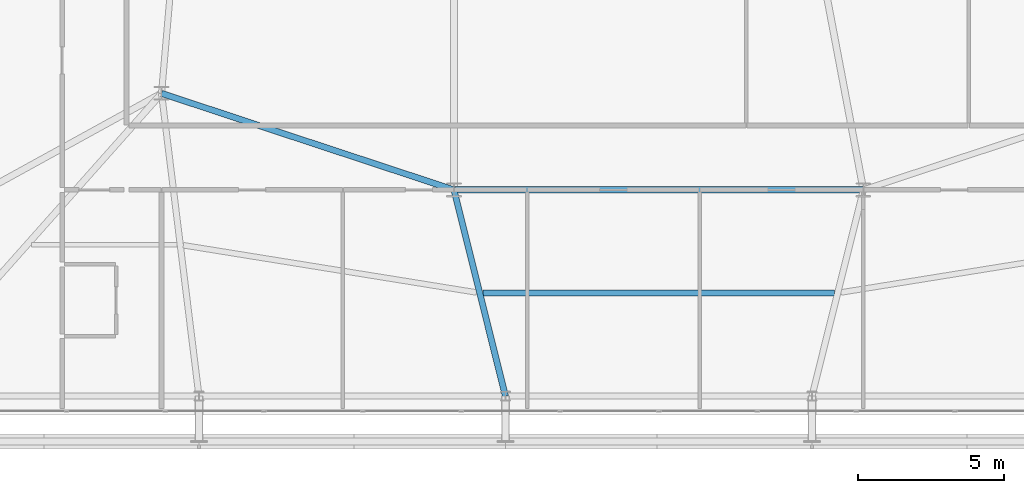
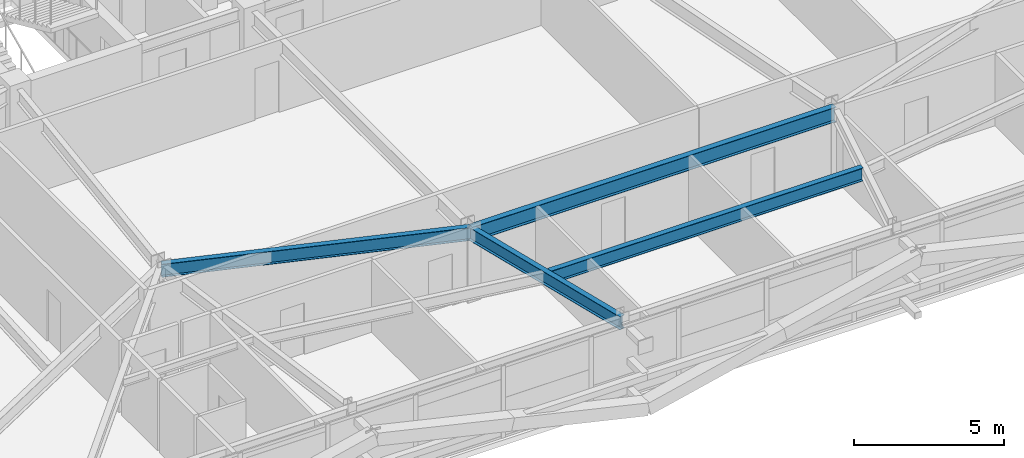
# One storey, part 13 of 58: 4 beams.
"""IFC4 building model written with IfcOpenShell, lengths in metres."""

import ifcopenshell
import ifcopenshell.guid

model = None  # the IFC model being written
_history = None  # IfcOwnerHistory: only IFC2X3 demands one
_inside = {}  # id of a spatial element -> (the spatial element, [elements in it])
_under = {}  # id of a project, library or spatial element -> (it, [spatial elements below it])
_declared = {}  # id of a project -> (the project, [libraries it declares])
_typed = {}  # id of a type object -> (the type object, [elements of that type])
_made_of = {}  # id of a material, layer set ... -> (it, [elements and type objects made of it])


def new_model(schema):
    """Start an empty IFC model of exactly this schema.

    Asked for "IFC4X3", IfcOpenShell would pick the latest addendum, in which some entities
    have other attributes; the version numbers below select the first issue.
    IFC2X3 requires an IfcOwnerHistory on every rooted entity: one is made here for all.
    """
    global model, _history
    if schema == "IFC4X3":
        model = ifcopenshell.file(schema_version=(4, 3, 0, 0))
    else:
        model = ifcopenshell.file(schema=schema)
    _inside.clear()
    _under.clear()
    _declared.clear()
    _typed.clear()
    _made_of.clear()
    _history = None
    if model.schema == "IFC2X3":
        org = make("IfcOrganization", Name="unknown")
        user = make(
            "IfcPersonAndOrganization",
            ThePerson=make("IfcPerson", FamilyName="unknown"),
            TheOrganization=org,
        )
        app = make(
            "IfcApplication",
            ApplicationDeveloper=org,
            Version="unknown",
            ApplicationFullName="unknown",
            ApplicationIdentifier="unknown",
        )
        _history = make(
            "IfcOwnerHistory",
            OwningUser=user,
            OwningApplication=app,
            ChangeAction="ADDED",
            CreationDate=0,
        )
    return model


def make(cls, **values):
    """One entity of the class cls with the attributes given. An attribute that is None is left unset."""
    return model.create_entity(
        cls, **{name: value for name, value in values.items() if value is not None}
    )


def rooted(cls, **values):
    """An entity with a GlobalId (a new one), such as an element, a storey or a relation."""
    return make(cls, GlobalId=ifcopenshell.guid.new(), OwnerHistory=_history, **values)


def si_unit(unit_type, name, prefix=None):
    """IfcSIUnit, for example si_unit("LENGTHUNIT", "METRE", prefix="MILLI")."""
    return make("IfcSIUnit", UnitType=unit_type, Prefix=prefix, Name=name)


def assignment(units):
    """IfcUnitAssignment: the units of a project."""
    return None if units is None else make("IfcUnitAssignment", Units=units)


def point(xyz):
    """IfcCartesianPoint."""
    return None if xyz is None else make("IfcCartesianPoint", Coordinates=xyz)


def direction(xyz):
    """IfcDirection."""
    return None if xyz is None else make("IfcDirection", DirectionRatios=xyz)


def frame(location, z_axis=None, x_axis=None):
    """IfcAxis2Placement3D, a coordinate frame: its origin and axes. An axis left out is left unset."""
    return make(
        "IfcAxis2Placement3D",
        Location=point(location),
        Axis=direction(z_axis),
        RefDirection=direction(x_axis),
    )


def frame_2d(location, x_axis=None):
    """IfcAxis2Placement2D, a coordinate frame in the plane: its origin and x axis."""
    return make(
        "IfcAxis2Placement2D", Location=point(location), RefDirection=direction(x_axis)
    )


def origin():
    """The frame at (0, 0, 0) with its axes left unset."""
    return frame((0.0, 0.0, 0.0))


def origin_2d():
    """The frame at (0, 0) in the plane with its x axis left unset."""
    return frame_2d((0.0, 0.0))


def place(relative_to, where):
    """IfcLocalPlacement: puts the frame where relative to a parent placement (None: the world)."""
    return make(
        "IfcLocalPlacement", PlacementRelTo=relative_to, RelativePlacement=where
    )


def context(
    kind, dimensions, precision=None, world=None, true_north=None, identifier=None
):
    """IfcGeometricRepresentationContext, for example the 3D "Model" context."""
    return make(
        "IfcGeometricRepresentationContext",
        ContextIdentifier=identifier,
        ContextType=kind,
        CoordinateSpaceDimension=dimensions,
        Precision=precision,
        WorldCoordinateSystem=world,
        TrueNorth=true_north,
    )


def subcontext(parent, identifier, kind, view, scale=None):
    """IfcGeometricRepresentationSubContext, for example "Body" below "Model"."""
    return make(
        "IfcGeometricRepresentationSubContext",
        ContextIdentifier=identifier,
        ContextType=kind,
        ParentContext=parent,
        TargetScale=scale,
        TargetView=view,
    )


def project(units=None, contexts=None):
    """IfcProject with its units and contexts."""
    return rooted(
        "IfcProject",
        Name="project",
        RepresentationContexts=contexts,
        UnitsInContext=assignment(units),
    )


def spatial(cls, under=None, at=None, **own):
    """A site, building, storey or space (cls), placed at a placement, below another one or the project."""
    s = rooted(cls, ObjectPlacement=at, **own)
    if under is not None:
        _under.setdefault(under.id(), (under, []))[1].append(s)
    return s


def profile(cls, at=None, kind="AREA", **sizes):
    """A parametric profile (cls). Its sizes go by their IFC names, for example OverallWidth=200.0."""
    return make(cls, ProfileType=kind, Position=at, **sizes)


def i_section(**sizes):
    """IfcIShapeProfileDef."""
    return profile("IfcIShapeProfileDef", **sizes)


def extrude(swept, where, along, depth):
    """IfcExtrudedAreaSolid: the profile swept, set in the frame where, extruded along a direction by depth."""
    return make(
        "IfcExtrudedAreaSolid",
        SweptArea=swept,
        Position=where,
        ExtrudedDirection=direction(along),
        Depth=depth,
    )


def shape(context_of_items, identifier, shape_type, items):
    """IfcShapeRepresentation: the items that make up one representation, for example the "Body"."""
    return make(
        "IfcShapeRepresentation",
        ContextOfItems=context_of_items,
        RepresentationIdentifier=identifier,
        RepresentationType=shape_type,
        Items=items,
    )


def source(mapping_origin, context_of_items, identifier, shape_type, items):
    """IfcRepresentationMap: a shape defined once, which mapped items show again and again."""
    return make(
        "IfcRepresentationMap",
        MappingOrigin=mapping_origin,
        MappedRepresentation=shape(context_of_items, identifier, shape_type, items),
    )


def transform(
    local_origin,
    x_axis=None,
    y_axis=None,
    z_axis=None,
    scale=None,
    scale2=None,
    scale3=None,
    uniform=True,
):
    """IfcCartesianTransformationOperator3D, or its non-uniform kind. x_axis, y_axis, z_axis: its Axis1, 2, 3."""
    if uniform:
        return make(
            "IfcCartesianTransformationOperator3D",
            Axis1=direction(x_axis),
            Axis2=direction(y_axis),
            LocalOrigin=point(local_origin),
            Scale=scale,
            Axis3=direction(z_axis),
        )
    return make(
        "IfcCartesianTransformationOperator3DnonUniform",
        Axis1=direction(x_axis),
        Axis2=direction(y_axis),
        LocalOrigin=point(local_origin),
        Scale=scale,
        Axis3=direction(z_axis),
        Scale2=scale2,
        Scale3=scale3,
    )


def mapped(mapping_source, mapping_target):
    """IfcMappedItem: shows the shape of a source again, moved by a transform."""
    return make(
        "IfcMappedItem", MappingSource=mapping_source, MappingTarget=mapping_target
    )


def material(Name=None, Category=None):
    """IfcMaterial."""
    return make("IfcMaterial", Name=Name, Category=Category)


def material_profile(
    of_material, cross_section, Name=None, Category=None, Priority=None
):
    """IfcMaterialProfile: a cross section and its material."""
    return make(
        "IfcMaterialProfile",
        Name=Name,
        Material=of_material,
        Profile=cross_section,
        Priority=Priority,
        Category=Category,
    )


def profile_set(profiles, Name=None, composite=None):
    """IfcMaterialProfileSet."""
    return make(
        "IfcMaterialProfileSet",
        Name=Name,
        MaterialProfiles=profiles,
        CompositeProfile=composite,
    )


def made_of(thing, what):
    """Note that an element or type object is made of a material, layer set ...; save() writes the relation."""
    if what is not None:
        _made_of.setdefault(what.id(), (what, []))[1].append(thing)
    return thing


def type_object(cls, material=None, **own):
    """A type object (cls), such as IfcWallType, which elements share."""
    return made_of(rooted(cls, **own), material)


def element(
    cls,
    number,
    at=None,
    inside=None,
    cuts=None,
    type_object=None,
    material=None,
    context=None,
    identifier="Body",
    shape_type=None,
    held_by="IfcProductDefinitionShape",
    body=None,
    shapes=None,
    **own,
):
    """One element of the class cls, such as IfcWall. Its Tag is "e" and its number.

    at: its placement. inside: the storey or other place that contains it. cuts: it is an
    opening in that element (IfcRelVoidsElement). A single representation is given by context,
    identifier, shape_type and body (its items); several are given by shapes. held_by: the class
    of the entity that holds the representations. save() writes the other relations.
    """
    e = rooted(cls, Tag="e%d" % number, ObjectPlacement=at, **own)
    if body is not None:
        shapes = [shape(context, identifier, shape_type, body)]
    if shapes is not None:
        e.Representation = make(held_by, Representations=shapes)
    if inside is not None:
        _inside.setdefault(inside.id(), (inside, []))[1].append(e)
    if cuts is not None:
        rooted(
            "IfcRelVoidsElement", RelatingBuildingElement=cuts, RelatedOpeningElement=e
        )
    if type_object is not None:
        _typed.setdefault(type_object.id(), (type_object, []))[1].append(e)
    return made_of(e, material)


def aggregate(whole, parts):
    """IfcRelAggregates: a whole, such as a stair, and the parts it consists of."""
    return rooted("IfcRelAggregates", RelatingObject=whole, RelatedObjects=parts)


def save(model, path):
    """Write the relations noted so far, then the file.

    IfcRelAggregates (storeys below a building ...), IfcRelContainedInSpatialStructure (elements
    in a storey), IfcRelDefinesByType, IfcRelAssociatesMaterial and IfcRelDeclares: one each for
    every whole, place, type object, material and project.
    """
    for whole, parts in _under.values():
        aggregate(whole, parts)
    for where, things in _inside.values():
        rooted(
            "IfcRelContainedInSpatialStructure",
            RelatedElements=things,
            RelatingStructure=where,
        )
    for kind, things in _typed.values():
        rooted("IfcRelDefinesByType", RelatedObjects=things, RelatingType=kind)
    for what, things in _made_of.values():
        rooted("IfcRelAssociatesMaterial", RelatedObjects=things, RelatingMaterial=what)
    for by, libraries in _declared.values():
        rooted("IfcRelDeclares", RelatingContext=by, RelatedDefinitions=libraries)
    model.write(path)


model = new_model("IFC4")

# Units and contexts
model_context = context("Model", 3, precision=1e-05, world=origin(), true_north=direction((0.0, 1.0)))
body_context = subcontext(model_context, "Body", "Model", "MODEL_VIEW")
ifc_project = project(units=[si_unit("LENGTHUNIT", "METRE"), si_unit("AREAUNIT", "SQUARE_METRE"), si_unit("VOLUMEUNIT", "CUBIC_METRE"), si_unit("PLANEANGLEUNIT", "RADIAN"), si_unit("MASSUNIT", "GRAM", prefix="KILO")], contexts=[model_context])

# Site, building, storey
site_placement = place(None, origin())
site = spatial("IfcSite", under=ifc_project, at=site_placement, CompositionType="ELEMENT")
building_placement = place(site_placement, origin())
building = spatial("IfcBuilding", under=site, at=building_placement, Name="Taldren Reach Tower", CompositionType="ELEMENT")
storey_placement = place(building_placement, frame((0.0, 0.0, 54.60009765625)))
storey = spatial("IfcBuildingStorey", under=building, at=storey_placement, Name="L16", CompositionType="ELEMENT", Elevation=54.60009765625)

# Beams
ifc_material = material(Name="Steel Gr 350 (350PLUS)", Category="steel")
ifc_material_profile_1 = material_profile(ifc_material, i_section(OverallWidth=0.208984375, OverallDepth=0.532958984375, WebThickness=0.01025390625, FlangeThickness=0.015625, at=origin_2d()), Name="530UB92.4")
ifc_profile_set_1 = profile_set([ifc_material_profile_1], Name="Steel Gr 350 (350PLUS)")
beam_type_1 = type_object("IfcBeamType", Name="BM-UB530A", PredefinedType="BEAM", material=ifc_profile_set_1)
shared_shape_1 = source(origin(), body_context, "Body", "SweptSolid", [
    extrude(i_section(OverallWidth=0.208984375, OverallDepth=0.532958984375, WebThickness=0.01025390625, FlangeThickness=0.015625, at=origin_2d()), origin(), (0.0, 0.0, 1.0), 10.530517578125),
])
beam_1_placement = place(storey_placement, frame((18.0, 12.5, 2.663330078125), z_axis=(0.949627269203, -0.313381635689, 0.0), x_axis=(0.313381635689, 0.949627269203, 0.0)))
element("IfcBeam", 1, at=beam_1_placement, inside=storey, type_object=beam_type_1, Name="Core-spine girder L16-SP10", PredefinedType="BEAM", context=body_context, shape_type="MappedRepresentation", body=[
    mapped(shared_shape_1, transform((0.0, 0.0, 0.0), scale=1.0)),
])
ifc_material_profile_2 = material_profile(ifc_material, i_section(OverallWidth=0.22802734375, OverallDepth=0.60205078125, WebThickness=0.010498046875, FlangeThickness=0.014892578125, at=origin_2d()), Name="610UB101")
ifc_profile_set_2 = profile_set([ifc_material_profile_2], Name="Steel Gr 350 (350PLUS)")
beam_type_2 = type_object("IfcBeamType", Name="BM-UB610B", PredefinedType="BEAM", material=ifc_profile_set_2)
shared_shape_2 = source(origin(), body_context, "Body", "SweptSolid", [
    extrude(i_section(OverallWidth=0.22802734375, OverallDepth=0.60205078125, WebThickness=0.010498046875, FlangeThickness=0.014892578125, at=origin_2d()), origin(), (0.0, 0.0, 1.0), 14.0),
])
beam_2_placement = place(storey_placement, frame((28.0, 9.199951171875, 2.62890625), z_axis=(1.0, 0.0, 0.0), x_axis=(0.0, 1.0, 0.0)))
element("IfcBeam", 2, at=beam_2_placement, inside=storey, type_object=beam_type_2, Name="Core-spine girder L16-SP11", PredefinedType="BEAM", context=body_context, shape_type="MappedRepresentation", body=[
    mapped(shared_shape_2, transform((0.0, 0.0, 0.0), scale=1.0)),
])
shared_shape_3 = source(origin(), body_context, "Body", "SweptSolid", [
    extrude(i_section(OverallWidth=0.208984375, OverallDepth=0.532958984375, WebThickness=0.01025390625, FlangeThickness=0.015625, at=origin_2d()), origin(), (0.0, 0.0, 1.0), 7.266357421875),
])
beam_3_placement = place(storey_placement, frame((28.0, 9.199951171875, 2.663330078125), z_axis=(0.24221148493, -0.970223477642, 0.0), x_axis=(0.970223477642, 0.24221148493, 0.0)))
element("IfcBeam", 3, at=beam_3_placement, inside=storey, type_object=beam_type_1, Name="Primary floor girder B1-S3 L16", PredefinedType="BEAM", context=body_context, shape_type="MappedRepresentation", body=[
    mapped(shared_shape_3, transform((0.0, 0.0, 0.0), scale=1.0)),
])
shared_shape_4 = source(origin(), body_context, "Body", "SweptSolid", [
    extrude(i_section(OverallWidth=0.208984375, OverallDepth=0.532958984375, WebThickness=0.01025390625, FlangeThickness=0.015625, at=origin_2d()), origin(), (0.0, 0.0, 1.0), 12.0244140625),
])
beam_4_placement = place(storey_placement, frame((28.98779296875, 5.675048828125, 2.663330078125), z_axis=(1.0, 0.0, 0.0), x_axis=(0.0, 1.0, 0.0)))
element("IfcBeam", 4, at=beam_4_placement, inside=storey, type_object=beam_type_1, Name="Secondary floor beam B1 J3 L16", PredefinedType="BEAM", context=body_context, shape_type="MappedRepresentation", body=[
    mapped(shared_shape_4, transform((0.0, 0.0, 0.0), scale=1.0)),
])

save(model, "model.ifc")
